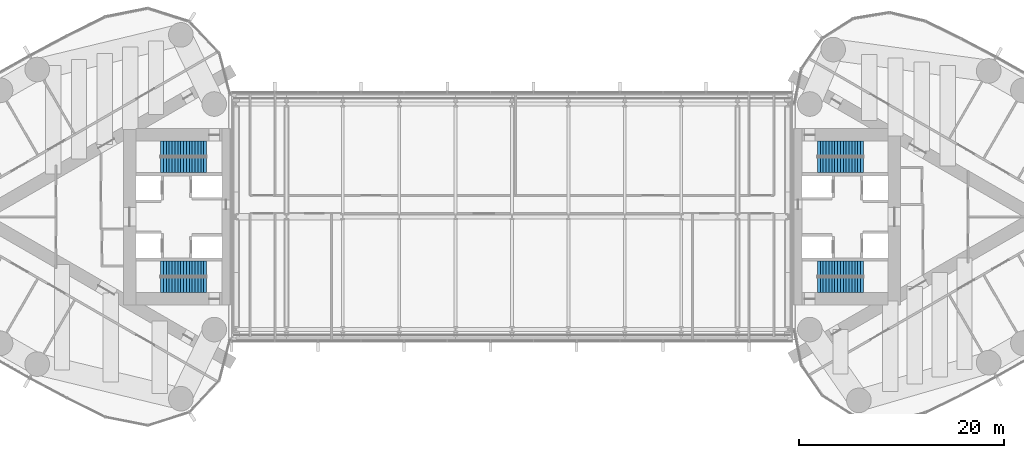
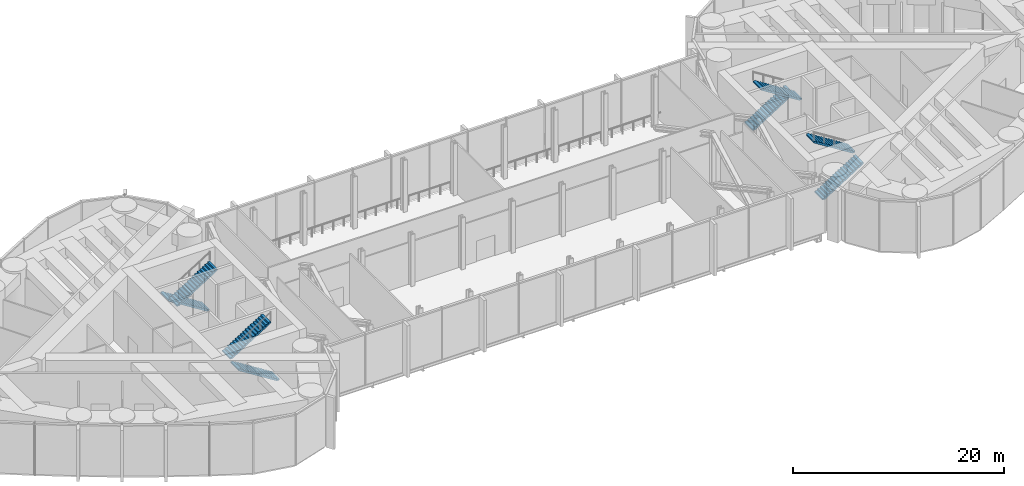
# One storey, part 20 of 21: 8 stair flights, 4 elements without a shape of their own.
"""IFC4 building model written with IfcOpenShell, lengths in metres."""

from ifc_helpers import new_model, si_unit, direction, frame, origin, place, context, subcontext, project, spatial, polyline, outline, extrude, material, type_object, element, aggregate, save


model = new_model("IFC4")

# Units and contexts
model_context = context("Model", 3, precision=1e-05, world=origin(), true_north=direction((0.0, 1.0)))
body_context = subcontext(model_context, "Body", "Model", "MODEL_VIEW")
ifc_project = project(units=[si_unit("LENGTHUNIT", "METRE"), si_unit("AREAUNIT", "SQUARE_METRE"), si_unit("VOLUMEUNIT", "CUBIC_METRE"), si_unit("PLANEANGLEUNIT", "RADIAN"), si_unit("MASSUNIT", "GRAM", prefix="KILO")], contexts=[model_context])

# Site, building, storey
site_placement = place(None, origin())
site = spatial("IfcSite", under=ifc_project, at=site_placement, CompositionType="ELEMENT")
building_placement = place(site_placement, origin())
building = spatial("IfcBuilding", under=site, at=building_placement, Name="Lancet Gate Hotel", CompositionType="ELEMENT")
storey_placement = place(building_placement, frame((0.0, 0.0, 257.300048828125)))
storey = spatial("IfcBuildingStorey", under=building, at=storey_placement, Name="L68", CompositionType="ELEMENT", Elevation=257.300048828125)

# Stair, stair flights
ifc_material_1 = material(Name="Exit stair 34 risers 1500")
stair_type = type_object("IfcStairType", Name="Exit stair 34 risers 1500", PredefinedType="HALF_TURN_STAIR", material=ifc_material_1)
stair_1_placement = place(storey_placement, origin())
stair_1 = element("IfcStair", 1, at=stair_1_placement, inside=storey, type_object=stair_type, Name="T1 stair 1 L68", PredefinedType="HALF_TURN_STAIR")
ifc_material_2 = material(Name="Stair flight 17 risers 176 rise 1500")
stair_flight_type = type_object("IfcStairFlightType", Name="Stair flight 17 risers 176 rise 1500", PredefinedType="STRAIGHT", material=ifc_material_2)
stair_flight_1_placement = place(storey_placement, frame((-29.800048828125, 6.64990234375, 0.0), z_axis=(0.0, 0.0, 1.0), x_axis=(-1.0, 0.0, 0.0)))
stair_flight_1 = element("IfcStairFlight", 2, at=stair_flight_1_placement, type_object=stair_flight_type, Name="ST1 flight 1", NumberOfRisers=17, NumberOfTreads=16, PredefinedType="STRAIGHT", RiserHeight=0.176470588, TreadLength=0.28, context=body_context, shape_type="SweptSolid", body=[
    extrude(outline(polyline([(0.0, 0.0), (0.0, 0.176513671875), (0.280029296875, 0.176513671875), (0.280029296875, 0.35302734375), (0.56005859375, 0.35302734375), (0.56005859375, 0.529296875), (0.840087890625, 0.529296875), (0.840087890625, 0.705810546875), (1.1201171875, 0.705810546875), (1.1201171875, 0.88232421875), (1.39990234375, 0.88232421875), (1.39990234375, 1.058837890625), (1.679931640625, 1.058837890625), (1.679931640625, 1.2353515625), (1.9599609375, 1.2353515625), (1.9599609375, 1.411865234375), (2.239990234375, 1.411865234375), (2.239990234375, 1.588134765625), (2.52001953125, 1.588134765625), (2.52001953125, 1.7646484375), (2.800048828125, 1.7646484375), (2.800048828125, 1.941162109375), (3.080078125, 1.941162109375), (3.080078125, 2.11767578125), (3.360107421875, 2.11767578125), (3.360107421875, 2.294189453125), (3.639892578125, 2.294189453125), (3.639892578125, 2.470703125), (3.919921875, 2.470703125), (3.919921875, 2.64697265625), (4.199951171875, 2.64697265625), (4.199951171875, 2.823486328125), (4.47998046875, 2.823486328125), (4.47998046875, 3.0), (4.47998046875, 2.646240234375), (0.28125, 0.0), (0.0, 0.0)])), frame((0.0, 0.75, 0.0), z_axis=(0.0, -1.0, 0.0), x_axis=(1.0, 0.0, 0.0)), (0.0, 0.0, 1.0), 1.5),
])
stair_flight_2_placement = place(storey_placement, frame((-34.280029296875, 5.050048828125, 3.0), z_axis=(0.0, 0.0, 1.0), x_axis=(1.0, 0.0, 0.0)))
stair_flight_2 = element("IfcStairFlight", 3, at=stair_flight_2_placement, type_object=stair_flight_type, Name="ST1 flight 2", NumberOfRisers=17, NumberOfTreads=16, PredefinedType="STRAIGHT", RiserHeight=0.176470588, TreadLength=0.28, context=body_context, shape_type="SweptSolid", body=[
    extrude(outline(polyline([(0.0, 0.0), (0.0, 0.176513671875), (0.280029296875, 0.176513671875), (0.280029296875, 0.35302734375), (0.56005859375, 0.35302734375), (0.56005859375, 0.529296875), (0.840087890625, 0.529296875), (0.840087890625, 0.705810546875), (1.1201171875, 0.705810546875), (1.1201171875, 0.88232421875), (1.39990234375, 0.88232421875), (1.39990234375, 1.058837890625), (1.679931640625, 1.058837890625), (1.679931640625, 1.2353515625), (1.9599609375, 1.2353515625), (1.9599609375, 1.411865234375), (2.239990234375, 1.411865234375), (2.239990234375, 1.588134765625), (2.52001953125, 1.588134765625), (2.52001953125, 1.7646484375), (2.800048828125, 1.7646484375), (2.800048828125, 1.941162109375), (3.080078125, 1.941162109375), (3.080078125, 2.11767578125), (3.360107421875, 2.11767578125), (3.360107421875, 2.294189453125), (3.639892578125, 2.294189453125), (3.639892578125, 2.470703125), (3.919921875, 2.470703125), (3.919921875, 2.64697265625), (4.199951171875, 2.64697265625), (4.199951171875, 2.823486328125), (4.47998046875, 2.823486328125), (4.47998046875, 3.0), (4.47998046875, 2.646240234375), (0.28125, 0.0), (0.0, 0.0)])), frame((0.0, 0.75, 0.0), z_axis=(0.0, -1.0, 0.0), x_axis=(1.0, 0.0, 0.0)), (0.0, 0.0, 1.0), 1.5),
])
aggregate(stair_1, [stair_flight_1, stair_flight_2])

stair_2_placement = place(storey_placement, origin())
stair_2 = element("IfcStair", 4, at=stair_2_placement, inside=storey, type_object=stair_type, Name="T1 stair 2 L68", PredefinedType="HALF_TURN_STAIR")
stair_flight_3_placement = place(storey_placement, frame((-29.800048828125, -6.64990234375, 0.0), z_axis=(0.0, 0.0, 1.0), x_axis=(-1.0, 0.0, 0.0)))
stair_flight_3 = element("IfcStairFlight", 5, at=stair_flight_3_placement, type_object=stair_flight_type, Name="ST2 flight 1", NumberOfRisers=17, NumberOfTreads=16, PredefinedType="STRAIGHT", RiserHeight=0.176470588, TreadLength=0.28, context=body_context, shape_type="SweptSolid", body=[
    extrude(outline(polyline([(0.0, 0.0), (0.0, 0.176513671875), (0.280029296875, 0.176513671875), (0.280029296875, 0.35302734375), (0.56005859375, 0.35302734375), (0.56005859375, 0.529296875), (0.840087890625, 0.529296875), (0.840087890625, 0.705810546875), (1.1201171875, 0.705810546875), (1.1201171875, 0.88232421875), (1.39990234375, 0.88232421875), (1.39990234375, 1.058837890625), (1.679931640625, 1.058837890625), (1.679931640625, 1.2353515625), (1.9599609375, 1.2353515625), (1.9599609375, 1.411865234375), (2.239990234375, 1.411865234375), (2.239990234375, 1.588134765625), (2.52001953125, 1.588134765625), (2.52001953125, 1.7646484375), (2.800048828125, 1.7646484375), (2.800048828125, 1.941162109375), (3.080078125, 1.941162109375), (3.080078125, 2.11767578125), (3.360107421875, 2.11767578125), (3.360107421875, 2.294189453125), (3.639892578125, 2.294189453125), (3.639892578125, 2.470703125), (3.919921875, 2.470703125), (3.919921875, 2.64697265625), (4.199951171875, 2.64697265625), (4.199951171875, 2.823486328125), (4.47998046875, 2.823486328125), (4.47998046875, 3.0), (4.47998046875, 2.646240234375), (0.28125, 0.0), (0.0, 0.0)])), frame((0.0, 0.75, 0.0), z_axis=(0.0, -1.0, 0.0), x_axis=(1.0, 0.0, 0.0)), (0.0, 0.0, 1.0), 1.5),
])
stair_flight_4_placement = place(storey_placement, frame((-34.280029296875, -5.050048828125, 3.0), z_axis=(0.0, 0.0, 1.0), x_axis=(1.0, 0.0, 0.0)))
stair_flight_4 = element("IfcStairFlight", 6, at=stair_flight_4_placement, type_object=stair_flight_type, Name="ST2 flight 2", NumberOfRisers=17, NumberOfTreads=16, PredefinedType="STRAIGHT", RiserHeight=0.176470588, TreadLength=0.28, context=body_context, shape_type="SweptSolid", body=[
    extrude(outline(polyline([(0.0, 0.0), (0.0, 0.176513671875), (0.280029296875, 0.176513671875), (0.280029296875, 0.35302734375), (0.56005859375, 0.35302734375), (0.56005859375, 0.529296875), (0.840087890625, 0.529296875), (0.840087890625, 0.705810546875), (1.1201171875, 0.705810546875), (1.1201171875, 0.88232421875), (1.39990234375, 0.88232421875), (1.39990234375, 1.058837890625), (1.679931640625, 1.058837890625), (1.679931640625, 1.2353515625), (1.9599609375, 1.2353515625), (1.9599609375, 1.411865234375), (2.239990234375, 1.411865234375), (2.239990234375, 1.588134765625), (2.52001953125, 1.588134765625), (2.52001953125, 1.7646484375), (2.800048828125, 1.7646484375), (2.800048828125, 1.941162109375), (3.080078125, 1.941162109375), (3.080078125, 2.11767578125), (3.360107421875, 2.11767578125), (3.360107421875, 2.294189453125), (3.639892578125, 2.294189453125), (3.639892578125, 2.470703125), (3.919921875, 2.470703125), (3.919921875, 2.64697265625), (4.199951171875, 2.64697265625), (4.199951171875, 2.823486328125), (4.47998046875, 2.823486328125), (4.47998046875, 3.0), (4.47998046875, 2.646240234375), (0.28125, 0.0), (0.0, 0.0)])), frame((0.0, 0.75, 0.0), z_axis=(0.0, -1.0, 0.0), x_axis=(1.0, 0.0, 0.0)), (0.0, 0.0, 1.0), 1.5),
])
aggregate(stair_2, [stair_flight_3, stair_flight_4])

stair_3_placement = place(storey_placement, origin())
stair_3 = element("IfcStair", 7, at=stair_3_placement, inside=storey, type_object=stair_type, Name="T2 stair 1 L68", PredefinedType="HALF_TURN_STAIR")
stair_flight_5_placement = place(storey_placement, frame((29.800048828125, -6.64990234375, 0.0), z_axis=(0.0, 0.0, 1.0), x_axis=(1.0, 0.0, 0.0)))
stair_flight_5 = element("IfcStairFlight", 8, at=stair_flight_5_placement, type_object=stair_flight_type, Name="ST3 flight 1", NumberOfRisers=17, NumberOfTreads=16, PredefinedType="STRAIGHT", RiserHeight=0.176470588, TreadLength=0.28, context=body_context, shape_type="SweptSolid", body=[
    extrude(outline(polyline([(0.0, 0.0), (0.0, 0.176513671875), (0.280029296875, 0.176513671875), (0.280029296875, 0.35302734375), (0.56005859375, 0.35302734375), (0.56005859375, 0.529296875), (0.840087890625, 0.529296875), (0.840087890625, 0.705810546875), (1.1201171875, 0.705810546875), (1.1201171875, 0.88232421875), (1.39990234375, 0.88232421875), (1.39990234375, 1.058837890625), (1.679931640625, 1.058837890625), (1.679931640625, 1.2353515625), (1.9599609375, 1.2353515625), (1.9599609375, 1.411865234375), (2.239990234375, 1.411865234375), (2.239990234375, 1.588134765625), (2.52001953125, 1.588134765625), (2.52001953125, 1.7646484375), (2.800048828125, 1.7646484375), (2.800048828125, 1.941162109375), (3.080078125, 1.941162109375), (3.080078125, 2.11767578125), (3.360107421875, 2.11767578125), (3.360107421875, 2.294189453125), (3.639892578125, 2.294189453125), (3.639892578125, 2.470703125), (3.919921875, 2.470703125), (3.919921875, 2.64697265625), (4.199951171875, 2.64697265625), (4.199951171875, 2.823486328125), (4.47998046875, 2.823486328125), (4.47998046875, 3.0), (4.47998046875, 2.646240234375), (0.28125, 0.0), (0.0, 0.0)])), frame((0.0, 0.75, 0.0), z_axis=(0.0, -1.0, 0.0), x_axis=(1.0, 0.0, 0.0)), (0.0, 0.0, 1.0), 1.5),
])
stair_flight_6_placement = place(storey_placement, frame((34.280029296875, -5.050048828125, 3.0), z_axis=(0.0, 0.0, 1.0), x_axis=(-1.0, 0.0, 0.0)))
stair_flight_6 = element("IfcStairFlight", 9, at=stair_flight_6_placement, type_object=stair_flight_type, Name="ST3 flight 2", NumberOfRisers=17, NumberOfTreads=16, PredefinedType="STRAIGHT", RiserHeight=0.176470588, TreadLength=0.28, context=body_context, shape_type="SweptSolid", body=[
    extrude(outline(polyline([(0.0, 0.0), (0.0, 0.176513671875), (0.280029296875, 0.176513671875), (0.280029296875, 0.35302734375), (0.56005859375, 0.35302734375), (0.56005859375, 0.529296875), (0.840087890625, 0.529296875), (0.840087890625, 0.705810546875), (1.1201171875, 0.705810546875), (1.1201171875, 0.88232421875), (1.39990234375, 0.88232421875), (1.39990234375, 1.058837890625), (1.679931640625, 1.058837890625), (1.679931640625, 1.2353515625), (1.9599609375, 1.2353515625), (1.9599609375, 1.411865234375), (2.239990234375, 1.411865234375), (2.239990234375, 1.588134765625), (2.52001953125, 1.588134765625), (2.52001953125, 1.7646484375), (2.800048828125, 1.7646484375), (2.800048828125, 1.941162109375), (3.080078125, 1.941162109375), (3.080078125, 2.11767578125), (3.360107421875, 2.11767578125), (3.360107421875, 2.294189453125), (3.639892578125, 2.294189453125), (3.639892578125, 2.470703125), (3.919921875, 2.470703125), (3.919921875, 2.64697265625), (4.199951171875, 2.64697265625), (4.199951171875, 2.823486328125), (4.47998046875, 2.823486328125), (4.47998046875, 3.0), (4.47998046875, 2.646240234375), (0.28125, 0.0), (0.0, 0.0)])), frame((0.0, 0.75, 0.0), z_axis=(0.0, -1.0, 0.0), x_axis=(1.0, 0.0, 0.0)), (0.0, 0.0, 1.0), 1.5),
])
aggregate(stair_3, [stair_flight_5, stair_flight_6])

stair_4_placement = place(storey_placement, origin())
stair_4 = element("IfcStair", 10, at=stair_4_placement, inside=storey, type_object=stair_type, Name="T2 stair 2 L68", PredefinedType="HALF_TURN_STAIR")
stair_flight_7_placement = place(storey_placement, frame((29.800048828125, 6.64990234375, 0.0), z_axis=(0.0, 0.0, 1.0), x_axis=(1.0, 0.0, 0.0)))
stair_flight_7 = element("IfcStairFlight", 11, at=stair_flight_7_placement, type_object=stair_flight_type, Name="ST4 flight 1", NumberOfRisers=17, NumberOfTreads=16, PredefinedType="STRAIGHT", RiserHeight=0.176470588, TreadLength=0.28, context=body_context, shape_type="SweptSolid", body=[
    extrude(outline(polyline([(0.0, 0.0), (0.0, 0.176513671875), (0.280029296875, 0.176513671875), (0.280029296875, 0.35302734375), (0.56005859375, 0.35302734375), (0.56005859375, 0.529296875), (0.840087890625, 0.529296875), (0.840087890625, 0.705810546875), (1.1201171875, 0.705810546875), (1.1201171875, 0.88232421875), (1.39990234375, 0.88232421875), (1.39990234375, 1.058837890625), (1.679931640625, 1.058837890625), (1.679931640625, 1.2353515625), (1.9599609375, 1.2353515625), (1.9599609375, 1.411865234375), (2.239990234375, 1.411865234375), (2.239990234375, 1.588134765625), (2.52001953125, 1.588134765625), (2.52001953125, 1.7646484375), (2.800048828125, 1.7646484375), (2.800048828125, 1.941162109375), (3.080078125, 1.941162109375), (3.080078125, 2.11767578125), (3.360107421875, 2.11767578125), (3.360107421875, 2.294189453125), (3.639892578125, 2.294189453125), (3.639892578125, 2.470703125), (3.919921875, 2.470703125), (3.919921875, 2.64697265625), (4.199951171875, 2.64697265625), (4.199951171875, 2.823486328125), (4.47998046875, 2.823486328125), (4.47998046875, 3.0), (4.47998046875, 2.646240234375), (0.28125, 0.0), (0.0, 0.0)])), frame((0.0, 0.75, 0.0), z_axis=(0.0, -1.0, 0.0), x_axis=(1.0, 0.0, 0.0)), (0.0, 0.0, 1.0), 1.5),
])
stair_flight_8_placement = place(storey_placement, frame((34.280029296875, 5.050048828125, 3.0), z_axis=(0.0, 0.0, 1.0), x_axis=(-1.0, 0.0, 0.0)))
stair_flight_8 = element("IfcStairFlight", 12, at=stair_flight_8_placement, type_object=stair_flight_type, Name="ST4 flight 2", NumberOfRisers=17, NumberOfTreads=16, PredefinedType="STRAIGHT", RiserHeight=0.176470588, TreadLength=0.28, context=body_context, shape_type="SweptSolid", body=[
    extrude(outline(polyline([(0.0, 0.0), (0.0, 0.176513671875), (0.280029296875, 0.176513671875), (0.280029296875, 0.35302734375), (0.56005859375, 0.35302734375), (0.56005859375, 0.529296875), (0.840087890625, 0.529296875), (0.840087890625, 0.705810546875), (1.1201171875, 0.705810546875), (1.1201171875, 0.88232421875), (1.39990234375, 0.88232421875), (1.39990234375, 1.058837890625), (1.679931640625, 1.058837890625), (1.679931640625, 1.2353515625), (1.9599609375, 1.2353515625), (1.9599609375, 1.411865234375), (2.239990234375, 1.411865234375), (2.239990234375, 1.588134765625), (2.52001953125, 1.588134765625), (2.52001953125, 1.7646484375), (2.800048828125, 1.7646484375), (2.800048828125, 1.941162109375), (3.080078125, 1.941162109375), (3.080078125, 2.11767578125), (3.360107421875, 2.11767578125), (3.360107421875, 2.294189453125), (3.639892578125, 2.294189453125), (3.639892578125, 2.470703125), (3.919921875, 2.470703125), (3.919921875, 2.64697265625), (4.199951171875, 2.64697265625), (4.199951171875, 2.823486328125), (4.47998046875, 2.823486328125), (4.47998046875, 3.0), (4.47998046875, 2.646240234375), (0.28125, 0.0), (0.0, 0.0)])), frame((0.0, 0.75, 0.0), z_axis=(0.0, -1.0, 0.0), x_axis=(1.0, 0.0, 0.0)), (0.0, 0.0, 1.0), 1.5),
])
aggregate(stair_4, [stair_flight_7, stair_flight_8])

save(model, "model.ifc")
